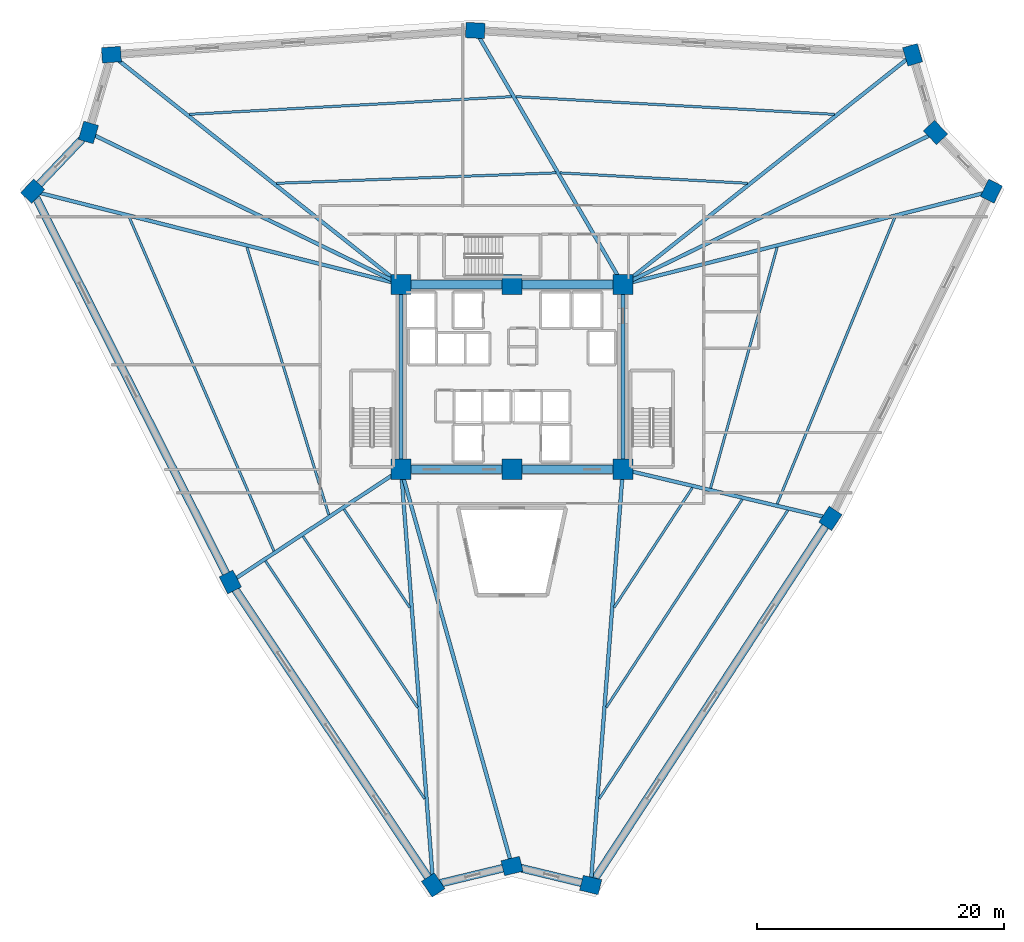
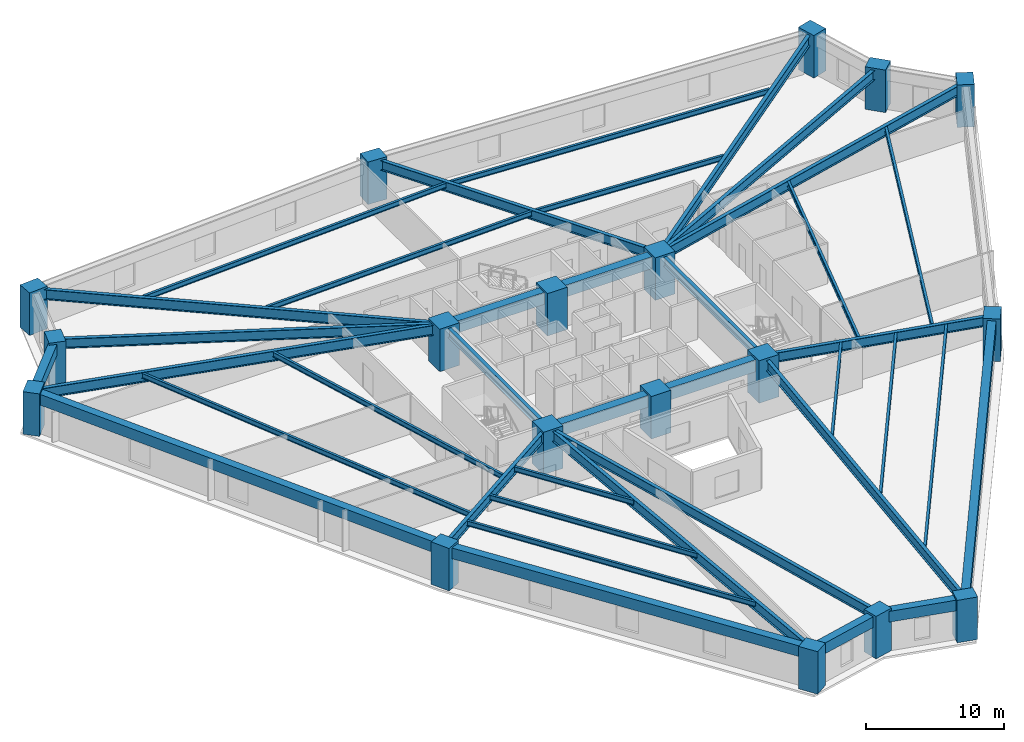
# One storey, part 1 of 8: 38 beams, 18 columns.
"""IFC4 building model written with IfcOpenShell, lengths in metres."""

from ifc_helpers import new_model, si_unit, direction, frame, origin, origin_2d, place, context, subcontext, project, spatial, rectangle, i_section, extrude, source, transform, mapped, material, material_profile, profile_set, type_object, element, save


model = new_model("IFC4")

# Units and contexts
model_context = context("Model", 3, precision=1e-05, world=origin(), true_north=direction((0.0, 1.0)))
body_context = subcontext(model_context, "Body", "Model", "MODEL_VIEW")
ifc_project = project(units=[si_unit("LENGTHUNIT", "METRE"), si_unit("AREAUNIT", "SQUARE_METRE"), si_unit("VOLUMEUNIT", "CUBIC_METRE"), si_unit("PLANEANGLEUNIT", "RADIAN"), si_unit("MASSUNIT", "GRAM", prefix="KILO")], contexts=[model_context])

# Site, building, storey
site_placement = place(None, origin())
site = spatial("IfcSite", under=ifc_project, at=site_placement, CompositionType="ELEMENT")
building_placement = place(site_placement, origin())
building = spatial("IfcBuilding", under=site, at=building_placement, Name="Liaohun Quay Tower", CompositionType="ELEMENT")
storey_placement = place(building_placement, frame((0.0, 0.0, 39.75)))
storey = spatial("IfcBuildingStorey", under=building, at=storey_placement, Name="L10", CompositionType="ELEMENT", Elevation=39.75)

# Columns
ifc_material_1 = material(Name="Concrete C60", Category="concrete")
ifc_material_profile_1 = material_profile(ifc_material_1, rectangle(XDim=1.64990234375, YDim=1.64990234375, at=origin_2d()), Name="RC1650x1650")
ifc_profile_set_1 = profile_set([ifc_material_profile_1], Name="Concrete C60")
column_type_1 = type_object("IfcColumnType", Name="COL-CC-Z1", PredefinedType="COLUMN", material=ifc_profile_set_1)
shared_shape_1 = source(origin(), body_context, "Body", "SweptSolid", [
    extrude(rectangle(XDim=1.64990234375, YDim=1.64990234375, at=origin_2d()), origin(), (0.0, 0.0, 1.0), 3.75),
])
for number, where, z_axis, x_axis, name in (
    (1, (51.0, 46.5, 0.0), (0.0, 0.0, 1.0), (1.0, 0.0, 0.0), "L10 Core Column CC1"),
    (2, (60.0, 46.5, 0.0), (0.0, 0.0, 1.0), (1.0, 0.0, 0.0), "L10 Core Column CC2"),
    (3, (69.0, 46.5, 0.0), (0.0, 0.0, 1.0), (1.0, 0.0, 0.0), "L10 Core Column CC3"),
    (4, (69.0, 61.5, 0.0), (0.0, 0.0, 1.0), (1.0, 0.0, 0.0), "L10 Core Column CC4"),
    (5, (60.0, 61.5, 0.0), (0.0, 0.0, 1.0), (1.0, 0.0, 0.0), "L10 Core Column CC5"),
    (6, (51.0, 61.5, 0.0), (0.0, 0.0, 1.0), (1.0, 0.0, 0.0), "L10 Core Column CC6"),
):
    element("IfcColumn", number, at=place(storey_placement, frame(where, z_axis=z_axis, x_axis=x_axis)), inside=storey, type_object=column_type_1, Name=name, PredefinedType="COLUMN", context=body_context, shape_type="MappedRepresentation", body=[
        mapped(shared_shape_1, transform((0.0, 0.0, 0.0), x_axis=(1.0, 0.0, 0.0), y_axis=(0.0, 1.0, 0.0), z_axis=(0.0, 0.0, 1.0), scale=1.0)),
    ])
ifc_material_profile_2 = material_profile(ifc_material_1, rectangle(XDim=1.550048828125, YDim=1.25, at=origin_2d()), Name="RC1550x1250")
ifc_profile_set_2 = profile_set([ifc_material_profile_2], Name="Concrete C60")
column_type_2 = type_object("IfcColumnType", Name="COL-PIER-Z1", PredefinedType="COLUMN", material=ifc_profile_set_2)
shared_shape_2 = source(origin(), body_context, "Body", "SweptSolid", [
    extrude(rectangle(XDim=1.550048828125, YDim=1.25, at=origin_2d()), origin(), (0.0, 0.0, 1.0), 3.75),
])
for number, where, z_axis, x_axis, name in (
    (7, (53.60693359375, 12.780029296875, 0.0), (0.0, 0.0, 1.0), (-0.556440641177, 0.830887364717, 0.0), "L10 Perimeter Pier PC01"),
    (8, (37.14404296875, 37.364990234375, 0.0), (0.0, 0.0, 1.0), (-0.451189084442, 0.892428378124, 0.0), "L10 Perimeter Pier PC02"),
    (9, (21.111083984375, 69.077880859375, 0.0), (0.0, 0.0, 1.0), (0.68936671806, 0.724412539946, 0.0), "L10 Perimeter Pier PC03"),
    (10, (25.639892578125, 73.837890625, 0.0), (0.0, 0.0, 1.0), (0.282676303383, 0.959215360337, 0.0), "L10 Perimeter Pier PC04"),
    (11, (27.5, 80.14599609375, 0.0), (0.0, 0.0, 1.0), (0.997789886117, 0.066448048599, 0.0), "L10 Perimeter Pier PC05"),
    (12, (57.02197265625, 82.111083984375, 0.0), (0.0, 0.0, 1.0), (-0.998460188734, 0.055472980025, 0.0), "L10 Perimeter Pier PC06"),
    (13, (92.501953125, 80.139892578125, 0.0), (0.0, 0.0, 1.0), (-0.282676303383, 0.959215360337, 0.0), "L10 Perimeter Pier PC07"),
    (14, (94.360107421875, 73.837890625, 0.0), (0.0, 0.0, 1.0), (-0.68936671806, 0.724412539946, 0.0), "L10 Perimeter Pier PC08"),
    (15, (98.89404296875, 69.072998046875, 0.0), (0.0, 0.0, 1.0), (0.44134924494, 0.897335413316, 0.0), "L10 Perimeter Pier PC09"),
    (16, (85.833984375, 42.52392578125, 0.0), (0.0, 0.0, 1.0), (0.547271104292, 0.836955398099, 0.0), "L10 Perimeter Pier PC10"),
    (17, (66.386962890625, 12.781982421875, 0.0), (0.0, 0.0, 1.0), (-0.972043021443, 0.234802820391, 0.0), "L10 Perimeter Pier PC11"),
    (18, (60.0, 14.323974609375, 0.0), (0.0, 0.0, 1.0), (0.972043021443, 0.234802820391, 0.0), "L10 Perimeter Pier PC12"),
):
    element("IfcColumn", number, at=place(storey_placement, frame(where, z_axis=z_axis, x_axis=x_axis)), inside=storey, type_object=column_type_2, Name=name, PredefinedType="COLUMN", context=body_context, shape_type="MappedRepresentation", body=[
        mapped(shared_shape_2, transform((0.0, 0.0, 0.0), x_axis=(1.0, 0.0, 0.0), y_axis=(0.0, 1.0, 0.0), z_axis=(0.0, 0.0, 1.0), scale=1.0)),
    ])

# Beams
ifc_material_profile_3 = material_profile(ifc_material_1, rectangle(XDim=0.699951171875, YDim=1.050048828125, at=origin_2d()), Name="RC700x1050")
ifc_profile_set_3 = profile_set([ifc_material_profile_3], Name="Concrete C60")
beam_type_1 = type_object("IfcBeamType", Name="BM-CPL-1", PredefinedType="LINTEL", material=ifc_profile_set_3)
shared_shape_3 = source(origin(), body_context, "Body", "SweptSolid", [
    extrude(rectangle(XDim=0.699951171875, YDim=1.050048828125, at=origin_2d()), origin(), (0.0, 0.0, 1.0), 9.0),
])
for number, where, z_axis, x_axis, name in (
    (19, (51.0, 46.5, 3.044921875), (1.0, 0.0, 0.0), (0.0, 1.0, 0.0), "L10 Core Coupling/Ring Beam CC1-CC2"),
    (20, (60.0, 46.5, 3.044921875), (1.0, 0.0, 0.0), (0.0, 1.0, 0.0), "L10 Core Coupling/Ring Beam CC2-CC3"),
    (21, (69.0, 61.5, 3.044921875), (-1.0, 0.0, 0.0), (0.0, -1.0, 0.0), "L10 Core Coupling/Ring Beam CC4-CC5"),
    (22, (60.0, 61.5, 3.044921875), (-1.0, 0.0, 0.0), (0.0, -1.0, 0.0), "L10 Core Coupling/Ring Beam CC5-CC6"),
):
    element("IfcBeam", number, at=place(storey_placement, frame(where, z_axis=z_axis, x_axis=x_axis)), inside=storey, type_object=beam_type_1, Name=name, PredefinedType="LINTEL", context=body_context, shape_type="MappedRepresentation", body=[
        mapped(shared_shape_3, transform((0.0, 0.0, 0.0), x_axis=(1.0, 0.0, 0.0), y_axis=(0.0, 1.0, 0.0), z_axis=(0.0, 0.0, 1.0), scale=1.0)),
    ])
ifc_material_2 = material(Name="Steel Q355D", Category="steel")
ifc_material_profile_4 = material_profile(ifc_material_2, i_section(OverallWidth=0.300048828125, OverallDepth=0.800048828125, WebThickness=0.013916015625, FlangeThickness=0.02587890625, at=origin_2d()), Name="HN800x300x14x26")
ifc_profile_set_4 = profile_set([ifc_material_profile_4], Name="Steel Q355D")
beam_type_2 = type_object("IfcBeamType", Name="BM-RAD-M1", PredefinedType="BEAM", material=ifc_profile_set_4)
shared_shape_4 = source(origin(), body_context, "Body", "SweptSolid", [
    extrude(i_section(OverallWidth=0.300048828125, OverallDepth=0.800048828125, WebThickness=0.013916015625, FlangeThickness=0.02587890625, at=origin_2d()), origin(), (0.0, 0.0, 1.0), 15.0),
])
for number, where, z_axis, x_axis, name in (
    (23, (69.0, 46.5, 3.169921875), (0.0, 1.0, 0.0), (-1.0, 0.0, 0.0), "L10 Core Coupling/Ring Beam CC3-CC4"),
    (24, (51.0, 61.5, 3.169921875), (0.0, -1.0, 0.0), (1.0, 0.0, 0.0), "L10 Core Coupling/Ring Beam CC6-CC1"),
):
    element("IfcBeam", number, at=place(storey_placement, frame(where, z_axis=z_axis, x_axis=x_axis)), inside=storey, type_object=beam_type_2, Name=name, PredefinedType="BEAM", context=body_context, shape_type="MappedRepresentation", body=[
        mapped(shared_shape_4, transform((0.0, 0.0, 0.0), x_axis=(1.0, 0.0, 0.0), y_axis=(0.0, 1.0, 0.0), z_axis=(0.0, 0.0, 1.0), scale=1.0)),
    ])
ifc_material_3 = material(Name="Steel Q420D", Category="steel")
ifc_material_profile_5 = material_profile(ifc_material_3, i_section(OverallWidth=0.300048828125, OverallDepth=0.89990234375, WebThickness=0.01611328125, FlangeThickness=0.028076171875, at=origin_2d()), Name="HN900x300x16x28")
ifc_profile_set_5 = profile_set([ifc_material_profile_5], Name="Steel Q420D")
beam_type_3 = type_object("IfcBeamType", Name="BM-RAD-H1", PredefinedType="BEAM", material=ifc_profile_set_5)
shared_shape_5 = source(origin(), body_context, "Body", "SweptSolid", [
    extrude(i_section(OverallWidth=0.300048828125, OverallDepth=0.89990234375, WebThickness=0.01611328125, FlangeThickness=0.028076171875, at=origin_2d()), origin(), (0.0, 0.0, 1.0), 33.820556640625),
])
beam_1_placement = place(storey_placement, frame((51.0, 46.5, 3.1201171875), z_axis=(0.07708124974, -0.997024814605, 0.0), x_axis=(0.997024814605, 0.07708124974, 0.0)))
element("IfcBeam", 25, at=beam_1_placement, inside=storey, type_object=beam_type_3, Name="L10 Radial Primary Girder CC1-PC01", PredefinedType="BEAM", context=body_context, shape_type="MappedRepresentation", body=[
    mapped(shared_shape_5, transform((0.0, 0.0, 0.0), x_axis=(1.0, 0.0, 0.0), y_axis=(0.0, 1.0, 0.0), z_axis=(0.0, 0.0, 1.0), scale=1.0)),
])
ifc_material_profile_6 = material_profile(ifc_material_2, i_section(OverallWidth=0.300048828125, OverallDepth=0.85009765625, WebThickness=0.01611328125, FlangeThickness=0.028076171875, at=origin_2d()), Name="HN850x300x16x28")
ifc_profile_set_6 = profile_set([ifc_material_profile_6], Name="Steel Q355D")
beam_type_4 = type_object("IfcBeamType", Name="BM-RAD-H2", PredefinedType="BEAM", material=ifc_profile_set_6)
shared_shape_6 = source(origin(), body_context, "Body", "SweptSolid", [
    extrude(i_section(OverallWidth=0.300048828125, OverallDepth=0.85009765625, WebThickness=0.01611328125, FlangeThickness=0.028076171875, at=origin_2d()), origin(), (0.0, 0.0, 1.0), 16.59619140625),
])
beam_2_placement = place(storey_placement, frame((51.0, 46.5, 3.14501953125), z_axis=(-0.83488415152, -0.550425702108, 0.0), x_axis=(0.550425702108, -0.83488415152, 0.0)))
element("IfcBeam", 26, at=beam_2_placement, inside=storey, type_object=beam_type_4, Name="L10 Radial Primary Girder CC1-PC02", PredefinedType="BEAM", context=body_context, shape_type="MappedRepresentation", body=[
    mapped(shared_shape_6, transform((0.0, 0.0, 0.0), x_axis=(1.0, 0.0, 0.0), y_axis=(0.0, 1.0, 0.0), z_axis=(0.0, 0.0, 1.0), scale=1.0)),
])
shared_shape_7 = source(origin(), body_context, "Body", "SweptSolid", [
    extrude(i_section(OverallWidth=0.300048828125, OverallDepth=0.89990234375, WebThickness=0.01611328125, FlangeThickness=0.028076171875, at=origin_2d()), origin(), (0.0, 0.0, 1.0), 30.83447265625),
])
beam_3_placement = place(storey_placement, frame((51.0, 61.5, 3.1201171875), z_axis=(-0.969330926687, 0.245759139338, 0.0), x_axis=(-0.245759139338, -0.969330926687, 0.0)))
element("IfcBeam", 27, at=beam_3_placement, inside=storey, type_object=beam_type_3, Name="L10 Radial Primary Girder CC6-PC03", PredefinedType="BEAM", context=body_context, shape_type="MappedRepresentation", body=[
    mapped(shared_shape_7, transform((0.0, 0.0, 0.0), x_axis=(1.0, 0.0, 0.0), y_axis=(0.0, 1.0, 0.0), z_axis=(0.0, 0.0, 1.0), scale=1.0)),
])
shared_shape_8 = source(origin(), body_context, "Body", "SweptSolid", [
    extrude(i_section(OverallWidth=0.300048828125, OverallDepth=0.85009765625, WebThickness=0.01611328125, FlangeThickness=0.028076171875, at=origin_2d()), origin(), (0.0, 0.0, 1.0), 28.2021484375),
])
for number, where, z_axis, x_axis, name in (
    (28, (51.0, 61.5, 3.14501953125), (-0.899227541375, 0.437481232548, 0.0), (-0.437481232548, -0.899227541375, 0.0), "L10 Radial Primary Girder CC6-PC04"),
    (29, (69.0, 61.5, 3.14501953125), (0.899227541375, 0.437481232548, 0.0), (-0.437481232548, 0.899227541375, 0.0), "L10 Radial Primary Girder CC4-PC08"),
):
    element("IfcBeam", number, at=place(storey_placement, frame(where, z_axis=z_axis, x_axis=x_axis)), inside=storey, type_object=beam_type_4, Name=name, PredefinedType="BEAM", context=body_context, shape_type="MappedRepresentation", body=[
        mapped(shared_shape_8, transform((0.0, 0.0, 0.0), x_axis=(1.0, 0.0, 0.0), y_axis=(0.0, 1.0, 0.0), z_axis=(0.0, 0.0, 1.0), scale=1.0)),
    ])
shared_shape_9 = source(origin(), body_context, "Body", "SweptSolid", [
    extrude(i_section(OverallWidth=0.300048828125, OverallDepth=0.89990234375, WebThickness=0.01611328125, FlangeThickness=0.028076171875, at=origin_2d()), origin(), (0.0, 0.0, 1.0), 29.998779296875),
])
beam_4_placement = place(storey_placement, frame((51.0, 61.5, 3.1201171875), z_axis=(-0.783366770609, 0.621559733819, 0.0), x_axis=(-0.621559733819, -0.783366770609, 0.0)))
element("IfcBeam", 30, at=beam_4_placement, inside=storey, type_object=beam_type_3, Name="L10 Radial Primary Girder CC6-PC05", PredefinedType="BEAM", context=body_context, shape_type="MappedRepresentation", body=[
    mapped(shared_shape_9, transform((0.0, 0.0, 0.0), x_axis=(1.0, 0.0, 0.0), y_axis=(0.0, 1.0, 0.0), z_axis=(0.0, 0.0, 1.0), scale=1.0)),
])
shared_shape_10 = source(origin(), body_context, "Body", "SweptSolid", [
    extrude(i_section(OverallWidth=0.300048828125, OverallDepth=0.85009765625, WebThickness=0.01611328125, FlangeThickness=0.028076171875, at=origin_2d()), origin(), (0.0, 0.0, 1.0), 23.8388671875),
])
beam_5_placement = place(storey_placement, frame((69.0, 61.5, 3.14501953125), z_axis=(-0.502458645143, 0.864601243303, 0.0), x_axis=(-0.864601243303, -0.502458645143, 0.0)))
element("IfcBeam", 31, at=beam_5_placement, inside=storey, type_object=beam_type_4, Name="L10 Radial Primary Girder CC4-PC06", PredefinedType="BEAM", context=body_context, shape_type="MappedRepresentation", body=[
    mapped(shared_shape_10, transform((0.0, 0.0, 0.0), x_axis=(1.0, 0.0, 0.0), y_axis=(0.0, 1.0, 0.0), z_axis=(0.0, 0.0, 1.0), scale=1.0)),
])
shared_shape_11 = source(origin(), body_context, "Body", "SweptSolid", [
    extrude(i_section(OverallWidth=0.300048828125, OverallDepth=0.89990234375, WebThickness=0.01611328125, FlangeThickness=0.028076171875, at=origin_2d()), origin(), (0.0, 0.0, 1.0), 29.996337890625),
])
beam_6_placement = place(storey_placement, frame((69.0, 61.5, 3.1201171875), z_axis=(0.783490983692, 0.621403152932, 0.0), x_axis=(-0.621403152932, 0.783490983692, 0.0)))
element("IfcBeam", 32, at=beam_6_placement, inside=storey, type_object=beam_type_3, Name="L10 Radial Primary Girder CC4-PC07", PredefinedType="BEAM", context=body_context, shape_type="MappedRepresentation", body=[
    mapped(shared_shape_11, transform((0.0, 0.0, 0.0), x_axis=(1.0, 0.0, 0.0), y_axis=(0.0, 1.0, 0.0), z_axis=(0.0, 0.0, 1.0), scale=1.0)),
])
shared_shape_12 = source(origin(), body_context, "Body", "SweptSolid", [
    extrude(i_section(OverallWidth=0.300048828125, OverallDepth=0.89990234375, WebThickness=0.01611328125, FlangeThickness=0.028076171875, at=origin_2d()), origin(), (0.0, 0.0, 1.0), 30.83837890625),
])
beam_7_placement = place(storey_placement, frame((69.0, 61.5, 3.1201171875), z_axis=(0.969378668663, 0.245570757095, 0.0), x_axis=(-0.245570757095, 0.969378668663, 0.0)))
element("IfcBeam", 33, at=beam_7_placement, inside=storey, type_object=beam_type_3, Name="L10 Radial Primary Girder CC4-PC09", PredefinedType="BEAM", context=body_context, shape_type="MappedRepresentation", body=[
    mapped(shared_shape_12, transform((0.0, 0.0, 0.0), x_axis=(1.0, 0.0, 0.0), y_axis=(0.0, 1.0, 0.0), z_axis=(0.0, 0.0, 1.0), scale=1.0)),
])
shared_shape_13 = source(origin(), body_context, "Body", "SweptSolid", [
    extrude(i_section(OverallWidth=0.300048828125, OverallDepth=0.85009765625, WebThickness=0.01611328125, FlangeThickness=0.028076171875, at=origin_2d()), origin(), (0.0, 0.0, 1.0), 17.297119140625),
])
beam_8_placement = place(storey_placement, frame((69.0, 46.5, 3.14501953125), z_axis=(0.973221711386, -0.229868441693, 0.0), x_axis=(0.229868441693, 0.973221711386, 0.0)))
element("IfcBeam", 34, at=beam_8_placement, inside=storey, type_object=beam_type_4, Name="L10 Radial Primary Girder CC3-PC10", PredefinedType="BEAM", context=body_context, shape_type="MappedRepresentation", body=[
    mapped(shared_shape_13, transform((0.0, 0.0, 0.0), x_axis=(1.0, 0.0, 0.0), y_axis=(0.0, 1.0, 0.0), z_axis=(0.0, 0.0, 1.0), scale=1.0)),
])
shared_shape_14 = source(origin(), body_context, "Body", "SweptSolid", [
    extrude(i_section(OverallWidth=0.300048828125, OverallDepth=0.89990234375, WebThickness=0.01611328125, FlangeThickness=0.028076171875, at=origin_2d()), origin(), (0.0, 0.0, 1.0), 33.819091796875),
])
beam_9_placement = place(storey_placement, frame((69.0, 46.5, 3.1201171875), z_axis=(-0.077265089802, -0.997010584647, 0.0), x_axis=(0.997010584647, -0.077265089802, 0.0)))
element("IfcBeam", 35, at=beam_9_placement, inside=storey, type_object=beam_type_3, Name="L10 Radial Primary Girder CC3-PC11", PredefinedType="BEAM", context=body_context, shape_type="MappedRepresentation", body=[
    mapped(shared_shape_14, transform((0.0, 0.0, 0.0), x_axis=(1.0, 0.0, 0.0), y_axis=(0.0, 1.0, 0.0), z_axis=(0.0, 0.0, 1.0), scale=1.0)),
])
shared_shape_15 = source(origin(), body_context, "Body", "SweptSolid", [
    extrude(i_section(OverallWidth=0.300048828125, OverallDepth=0.85009765625, WebThickness=0.01611328125, FlangeThickness=0.028076171875, at=origin_2d()), origin(), (0.0, 0.0, 1.0), 33.4111328125),
])
beam_10_placement = place(storey_placement, frame((51.0, 46.5, 3.14501953125), z_axis=(0.269372158618, -0.963036157245, 0.0), x_axis=(0.963036157245, 0.269372158618, 0.0)))
element("IfcBeam", 36, at=beam_10_placement, inside=storey, type_object=beam_type_4, Name="L10 Radial Primary Girder CC1-PC12", PredefinedType="BEAM", context=body_context, shape_type="MappedRepresentation", body=[
    mapped(shared_shape_15, transform((0.0, 0.0, 0.0), x_axis=(1.0, 0.0, 0.0), y_axis=(0.0, 1.0, 0.0), z_axis=(0.0, 0.0, 1.0), scale=1.0)),
])
ifc_material_profile_7 = material_profile(ifc_material_2, i_section(OverallWidth=0.199951171875, OverallDepth=0.449951171875, WebThickness=0.009033203125, FlangeThickness=0.013916015625, at=origin_2d()), Name="HN450x200x9x14")
ifc_profile_set_7 = profile_set([ifc_material_profile_7], Name="Steel Q355D")
beam_type_5 = type_object("IfcBeamType", Name="BM-SEC-J1", PredefinedType="JOIST", material=ifc_profile_set_7)
shared_shape_16 = source(origin(), body_context, "Body", "SweptSolid", [
    extrude(i_section(OverallWidth=0.199951171875, OverallDepth=0.449951171875, WebThickness=0.009033203125, FlangeThickness=0.013916015625, at=origin_2d()), origin(), (0.0, 0.0, 1.0), 9.60400390625),
])
beam_11_placement = place(storey_placement, frame((51.716064453125, 35.2890625, 3.344970703125), z_axis=(-0.556429546569, 0.830894794607, 0.0), x_axis=(-0.830894794607, -0.556429546569, 0.0)))
element("IfcBeam", 37, at=beam_11_placement, inside=storey, type_object=beam_type_5, Name="L10 Wing Secondary Floor Joist SJ-01", PredefinedType="JOIST", context=body_context, shape_type="MappedRepresentation", body=[
    mapped(shared_shape_16, transform((0.0, 0.0, 0.0), x_axis=(1.0, 0.0, 0.0), y_axis=(0.0, 1.0, 0.0), z_axis=(0.0, 0.0, 1.0), scale=1.0)),
])
shared_shape_17 = source(origin(), body_context, "Body", "SweptSolid", [
    extrude(i_section(OverallWidth=0.199951171875, OverallDepth=0.449951171875, WebThickness=0.009033203125, FlangeThickness=0.013916015625, at=origin_2d()), origin(), (0.0, 0.0, 1.0), 16.70556640625),
])
beam_12_placement = place(storey_placement, frame((52.342041015625, 27.196044921875, 3.344970703125), z_axis=(-0.556398803966, 0.830915381338, 0.0), x_axis=(-0.830915381338, -0.556398803966, 0.0)))
element("IfcBeam", 38, at=beam_12_placement, inside=storey, type_object=beam_type_5, Name="L10 Wing Secondary Floor Joist SJ-02", PredefinedType="JOIST", context=body_context, shape_type="MappedRepresentation", body=[
    mapped(shared_shape_17, transform((0.0, 0.0, 0.0), x_axis=(1.0, 0.0, 0.0), y_axis=(0.0, 1.0, 0.0), z_axis=(0.0, 0.0, 1.0), scale=1.0)),
])
shared_shape_18 = source(origin(), body_context, "Body", "SweptSolid", [
    extrude(i_section(OverallWidth=0.199951171875, OverallDepth=0.449951171875, WebThickness=0.009033203125, FlangeThickness=0.013916015625, at=origin_2d()), origin(), (0.0, 0.0, 1.0), 23.21435546875),
])
beam_13_placement = place(storey_placement, frame((52.916015625, 19.778076171875, 3.344970703125), z_axis=(-0.556422141739, 0.83089975339, 0.0), x_axis=(-0.83089975339, -0.556422141739, 0.0)))
element("IfcBeam", 39, at=beam_13_placement, inside=storey, type_object=beam_type_5, Name="L10 Wing Secondary Floor Joist SJ-03", PredefinedType="JOIST", context=body_context, shape_type="MappedRepresentation", body=[
    mapped(shared_shape_18, transform((0.0, 0.0, 0.0), x_axis=(1.0, 0.0, 0.0), y_axis=(0.0, 1.0, 0.0), z_axis=(0.0, 0.0, 1.0), scale=1.0)),
])
shared_shape_19 = source(origin(), body_context, "Body", "SweptSolid", [
    extrude(i_section(OverallWidth=0.199951171875, OverallDepth=0.449951171875, WebThickness=0.009033203125, FlangeThickness=0.013916015625, at=origin_2d()), origin(), (0.0, 0.0, 1.0), 22.694091796875),
])
beam_14_placement = place(storey_placement, frame((45.135009765625, 42.81298828125, 3.344970703125), z_axis=(-0.292453302419, 0.956279805237, 0.0), x_axis=(-0.956279805237, -0.292453302419, 0.0)))
element("IfcBeam", 40, at=beam_14_placement, inside=storey, type_object=beam_type_5, Name="L10 Wing Secondary Floor Joist SJ-04", PredefinedType="JOIST", context=body_context, shape_type="MappedRepresentation", body=[
    mapped(shared_shape_19, transform((0.0, 0.0, 0.0), x_axis=(1.0, 0.0, 0.0), y_axis=(0.0, 1.0, 0.0), z_axis=(0.0, 0.0, 1.0), scale=1.0)),
])
shared_shape_20 = source(origin(), body_context, "Body", "SweptSolid", [
    extrude(i_section(OverallWidth=0.199951171875, OverallDepth=0.449951171875, WebThickness=0.009033203125, FlangeThickness=0.013916015625, at=origin_2d()), origin(), (0.0, 0.0, 1.0), 29.48681640625),
])
beam_15_placement = place(storey_placement, frame((40.68603515625, 39.8798828125, 3.344970703125), z_axis=(-0.397737088561, 0.917499432361, 0.0), x_axis=(-0.917499432361, -0.397737088561, 0.0)))
element("IfcBeam", 41, at=beam_15_placement, inside=storey, type_object=beam_type_5, Name="L10 Wing Secondary Floor Joist SJ-05", PredefinedType="JOIST", context=body_context, shape_type="MappedRepresentation", body=[
    mapped(shared_shape_20, transform((0.0, 0.0, 0.0), x_axis=(1.0, 0.0, 0.0), y_axis=(0.0, 1.0, 0.0), z_axis=(0.0, 0.0, 1.0), scale=1.0)),
])
shared_shape_21 = source(origin(), body_context, "Body", "SweptSolid", [
    extrude(i_section(OverallWidth=0.199951171875, OverallDepth=0.449951171875, WebThickness=0.009033203125, FlangeThickness=0.013916015625, at=origin_2d()), origin(), (0.0, 0.0, 1.0), 22.68603515625),
])
beam_16_placement = place(storey_placement, frame((40.889892578125, 69.712890625, 3.344970703125), z_axis=(0.99929928212, 0.037429196541, 0.0), x_axis=(-0.037429196541, 0.99929928212, 0.0)))
element("IfcBeam", 42, at=beam_16_placement, inside=storey, type_object=beam_type_5, Name="L10 Wing Secondary Floor Joist SJ-06", PredefinedType="JOIST", context=body_context, shape_type="MappedRepresentation", body=[
    mapped(shared_shape_21, transform((0.0, 0.0, 0.0), x_axis=(1.0, 0.0, 0.0), y_axis=(0.0, 1.0, 0.0), z_axis=(0.0, 0.0, 1.0), scale=1.0)),
])
shared_shape_22 = source(origin(), body_context, "Body", "SweptSolid", [
    extrude(i_section(OverallWidth=0.199951171875, OverallDepth=0.449951171875, WebThickness=0.009033203125, FlangeThickness=0.013916015625, at=origin_2d()), origin(), (0.0, 0.0, 1.0), 26.17138671875),
])
beam_17_placement = place(storey_placement, frame((33.8359375, 75.31005859375, 3.344970703125), z_axis=(0.998500134085, 0.054749266954, 0.0), x_axis=(-0.054749266954, 0.998500134085, 0.0)))
element("IfcBeam", 43, at=beam_17_placement, inside=storey, type_object=beam_type_5, Name="L10 Wing Secondary Floor Joist SJ-07", PredefinedType="JOIST", context=body_context, shape_type="MappedRepresentation", body=[
    mapped(shared_shape_22, transform((0.0, 0.0, 0.0), x_axis=(1.0, 0.0, 0.0), y_axis=(0.0, 1.0, 0.0), z_axis=(0.0, 0.0, 1.0), scale=1.0)),
])
shared_shape_23 = source(origin(), body_context, "Body", "SweptSolid", [
    extrude(i_section(OverallWidth=0.199951171875, OverallDepth=0.449951171875, WebThickness=0.009033203125, FlangeThickness=0.013916015625, at=origin_2d()), origin(), (0.0, 0.0, 1.0), 15.2294921875),
])
beam_18_placement = place(storey_placement, frame((63.908935546875, 70.55908203125, 3.344970703125), z_axis=(0.998459662572, -0.05548244962, 0.0), x_axis=(0.05548244962, 0.998459662572, 0.0)))
element("IfcBeam", 44, at=beam_18_placement, inside=storey, type_object=beam_type_5, Name="L10 Wing Secondary Floor Joist SJ-08", PredefinedType="JOIST", context=body_context, shape_type="MappedRepresentation", body=[
    mapped(shared_shape_23, transform((0.0, 0.0, 0.0), x_axis=(1.0, 0.0, 0.0), y_axis=(0.0, 1.0, 0.0), z_axis=(0.0, 0.0, 1.0), scale=1.0)),
])
shared_shape_24 = source(origin(), body_context, "Body", "SweptSolid", [
    extrude(i_section(OverallWidth=0.199951171875, OverallDepth=0.449951171875, WebThickness=0.009033203125, FlangeThickness=0.013916015625, at=origin_2d()), origin(), (0.0, 0.0, 1.0), 25.889892578125),
])
beam_19_placement = place(storey_placement, frame((60.31591796875, 76.741943359375, 3.344970703125), z_axis=(0.998460527292, -0.055466885982, 0.0), x_axis=(0.055466885982, 0.998460527292, 0.0)))
element("IfcBeam", 45, at=beam_19_placement, inside=storey, type_object=beam_type_5, Name="L10 Wing Secondary Floor Joist SJ-09", PredefinedType="JOIST", context=body_context, shape_type="MappedRepresentation", body=[
    mapped(shared_shape_24, transform((0.0, 0.0, 0.0), x_axis=(1.0, 0.0, 0.0), y_axis=(0.0, 1.0, 0.0), z_axis=(0.0, 0.0, 1.0), scale=1.0)),
])
shared_shape_25 = source(origin(), body_context, "Body", "SweptSolid", [
    extrude(i_section(OverallWidth=0.199951171875, OverallDepth=0.449951171875, WebThickness=0.009033203125, FlangeThickness=0.013916015625, at=origin_2d()), origin(), (0.0, 0.0, 1.0), 20.271240234375),
])
beam_20_placement = place(storey_placement, frame((81.510009765625, 64.513916015625, 3.344970703125), z_axis=(-0.266382050556, -0.963867523647, 0.0), x_axis=(0.963867523647, -0.266382050556, 0.0)))
element("IfcBeam", 46, at=beam_20_placement, inside=storey, type_object=beam_type_5, Name="L10 Wing Secondary Floor Joist SJ-10", PredefinedType="JOIST", context=body_context, shape_type="MappedRepresentation", body=[
    mapped(shared_shape_25, transform((0.0, 0.0, 0.0), x_axis=(1.0, 0.0, 0.0), y_axis=(0.0, 1.0, 0.0), z_axis=(0.0, 0.0, 1.0), scale=1.0)),
])
shared_shape_26 = source(origin(), body_context, "Body", "SweptSolid", [
    extrude(i_section(OverallWidth=0.199951171875, OverallDepth=0.449951171875, WebThickness=0.009033203125, FlangeThickness=0.013916015625, at=origin_2d()), origin(), (0.0, 0.0, 1.0), 25.11376953125),
])
beam_21_placement = place(storey_placement, frame((91.051025390625, 66.930908203125, 3.344970703125), z_axis=(-0.379715940496, -0.925103131836, 0.0), x_axis=(0.925103131836, -0.379715940496, 0.0)))
element("IfcBeam", 47, at=beam_21_placement, inside=storey, type_object=beam_type_5, Name="L10 Wing Secondary Floor Joist SJ-11", PredefinedType="JOIST", context=body_context, shape_type="MappedRepresentation", body=[
    mapped(shared_shape_26, transform((0.0, 0.0, 0.0), x_axis=(1.0, 0.0, 0.0), y_axis=(0.0, 1.0, 0.0), z_axis=(0.0, 0.0, 1.0), scale=1.0)),
])
shared_shape_27 = source(origin(), body_context, "Body", "SweptSolid", [
    extrude(i_section(OverallWidth=0.199951171875, OverallDepth=0.449951171875, WebThickness=0.009033203125, FlangeThickness=0.013916015625, at=origin_2d()), origin(), (0.0, 0.0, 1.0), 11.610595703125),
])
beam_22_placement = place(storey_placement, frame((74.635986328125, 45.014892578125, 3.344970703125), z_axis=(-0.547253895262, -0.836966650542, 0.0), x_axis=(0.836966650542, -0.547253895262, 0.0)))
element("IfcBeam", 48, at=beam_22_placement, inside=storey, type_object=beam_type_5, Name="L10 Wing Secondary Floor Joist SJ-12", PredefinedType="JOIST", context=body_context, shape_type="MappedRepresentation", body=[
    mapped(shared_shape_27, transform((0.0, 0.0, 0.0), x_axis=(1.0, 0.0, 0.0), y_axis=(0.0, 1.0, 0.0), z_axis=(0.0, 0.0, 1.0), scale=1.0)),
])
shared_shape_28 = source(origin(), body_context, "Body", "SweptSolid", [
    extrude(i_section(OverallWidth=0.199951171875, OverallDepth=0.449951171875, WebThickness=0.009033203125, FlangeThickness=0.013916015625, at=origin_2d()), origin(), (0.0, 0.0, 1.0), 20.138427734375),
])
beam_23_placement = place(storey_placement, frame((78.676025390625, 44.06005859375, 3.344970703125), z_axis=(-0.547264388094, -0.83695978967, 0.0), x_axis=(0.83695978967, -0.547264388094, 0.0)))
element("IfcBeam", 49, at=beam_23_placement, inside=storey, type_object=beam_type_5, Name="L10 Wing Secondary Floor Joist SJ-13", PredefinedType="JOIST", context=body_context, shape_type="MappedRepresentation", body=[
    mapped(shared_shape_28, transform((0.0, 0.0, 0.0), x_axis=(1.0, 0.0, 0.0), y_axis=(0.0, 1.0, 0.0), z_axis=(0.0, 0.0, 1.0), scale=1.0)),
])
shared_shape_29 = source(origin(), body_context, "Body", "SweptSolid", [
    extrude(i_section(OverallWidth=0.199951171875, OverallDepth=0.449951171875, WebThickness=0.009033203125, FlangeThickness=0.013916015625, at=origin_2d()), origin(), (0.0, 0.0, 1.0), 27.95703125),
])
beam_24_placement = place(storey_placement, frame((82.3798828125, 43.18603515625, 3.344970703125), z_axis=(-0.547262068348, -0.836961306482, 0.0), x_axis=(0.836961306482, -0.547262068348, 0.0)))
element("IfcBeam", 50, at=beam_24_placement, inside=storey, type_object=beam_type_5, Name="L10 Wing Secondary Floor Joist SJ-14", PredefinedType="JOIST", context=body_context, shape_type="MappedRepresentation", body=[
    mapped(shared_shape_29, transform((0.0, 0.0, 0.0), x_axis=(1.0, 0.0, 0.0), y_axis=(0.0, 1.0, 0.0), z_axis=(0.0, 0.0, 1.0), scale=1.0)),
])
ifc_material_4 = material(Name="Precast concrete C55", Category="concrete")
ifc_material_profile_8 = material_profile(ifc_material_4, rectangle(XDim=0.64990234375, YDim=0.949951171875, at=origin_2d()), Name="RC650x950")
ifc_profile_set_8 = profile_set([ifc_material_profile_8], Name="Precast concrete C55")
beam_type_6 = type_object("IfcBeamType", Name="BM-SPD-Z1", PredefinedType="SPANDREL", material=ifc_profile_set_8)
shared_shape_30 = source(origin(), body_context, "Body", "SweptSolid", [
    extrude(rectangle(XDim=0.64990234375, YDim=0.949951171875, at=origin_2d()), origin(), (0.0, 0.0, 1.0), 29.587890625),
])
beam_25_placement = place(storey_placement, frame((53.60693359375, 12.780029296875, 3.094970703125), z_axis=(-0.556405155751, 0.830911128012, 0.0), x_axis=(-0.830911128012, -0.556405155751, 0.0)))
element("IfcBeam", 51, at=beam_25_placement, inside=storey, type_object=beam_type_6, Name="L10 Precast Spandrel Beam PC01-PC02", PredefinedType="SPANDREL", context=body_context, shape_type="MappedRepresentation", body=[
    mapped(shared_shape_30, transform((0.0, 0.0, 0.0), x_axis=(1.0, 0.0, 0.0), y_axis=(0.0, 1.0, 0.0), z_axis=(0.0, 0.0, 1.0), scale=1.0)),
])
shared_shape_31 = source(origin(), body_context, "Body", "SweptSolid", [
    extrude(rectangle(XDim=0.64990234375, YDim=0.949951171875, at=origin_2d()), origin(), (0.0, 0.0, 1.0), 35.535400390625),
])
for number, where, z_axis, x_axis, name in (
    (52, (37.14404296875, 37.364990234375, 3.094970703125), (-0.451182994256, 0.892431457141, 0.0), (-0.892431457141, -0.451182994256, 0.0), "L10 Precast Spandrel Beam PC02-PC03"),
    (53, (85.833984375, 42.52392578125, 3.094970703125), (-0.547256582154, -0.836964893701, 0.0), (0.836964893701, -0.547256582154, 0.0), "L10 Precast Spandrel Beam PC10-PC11"),
):
    element("IfcBeam", number, at=place(storey_placement, frame(where, z_axis=z_axis, x_axis=x_axis)), inside=storey, type_object=beam_type_6, Name=name, PredefinedType="SPANDREL", context=body_context, shape_type="MappedRepresentation", body=[
        mapped(shared_shape_31, transform((0.0, 0.0, 0.0), x_axis=(1.0, 0.0, 0.0), y_axis=(0.0, 1.0, 0.0), z_axis=(0.0, 0.0, 1.0), scale=1.0)),
    ])
shared_shape_32 = source(origin(), body_context, "Body", "SweptSolid", [
    extrude(rectangle(XDim=0.64990234375, YDim=0.949951171875, at=origin_2d()), origin(), (0.0, 0.0, 1.0), 6.5703125),
])
beam_26_placement = place(storey_placement, frame((21.111083984375, 69.077880859375, 3.094970703125), z_axis=(0.689293220121, 0.724482475078, 0.0), x_axis=(-0.724482475078, 0.689293220121, 0.0)))
element("IfcBeam", 54, at=beam_26_placement, inside=storey, type_object=beam_type_6, Name="L10 Precast Spandrel Beam PC03-PC04", PredefinedType="SPANDREL", context=body_context, shape_type="MappedRepresentation", body=[
    mapped(shared_shape_32, transform((0.0, 0.0, 0.0), x_axis=(1.0, 0.0, 0.0), y_axis=(0.0, 1.0, 0.0), z_axis=(0.0, 0.0, 1.0), scale=1.0)),
])
shared_shape_33 = source(origin(), body_context, "Body", "SweptSolid", [
    extrude(rectangle(XDim=0.64990234375, YDim=0.949951171875, at=origin_2d()), origin(), (0.0, 0.0, 1.0), 6.570556640625),
])
beam_27_placement = place(storey_placement, frame((66.386962890625, 12.781982421875, 3.094970703125), z_axis=(-0.972071394357, 0.23468533033, 0.0), x_axis=(-0.23468533033, -0.972071394357, 0.0)))
element("IfcBeam", 55, at=beam_27_placement, inside=storey, type_object=beam_type_6, Name="L10 Precast Spandrel Beam PC11-PC12", PredefinedType="SPANDREL", context=body_context, shape_type="MappedRepresentation", body=[
    mapped(shared_shape_33, transform((0.0, 0.0, 0.0), x_axis=(1.0, 0.0, 0.0), y_axis=(0.0, 1.0, 0.0), z_axis=(0.0, 0.0, 1.0), scale=1.0)),
])
shared_shape_34 = source(origin(), body_context, "Body", "SweptSolid", [
    extrude(rectangle(XDim=0.64990234375, YDim=0.949951171875, at=origin_2d()), origin(), (0.0, 0.0, 1.0), 6.576904296875),
])
beam_28_placement = place(storey_placement, frame((60.0, 14.323974609375, 3.094970703125), z_axis=(-0.972054757289, -0.2347542307, 0.0), x_axis=(0.2347542307, -0.972054757289, 0.0)))
element("IfcBeam", 56, at=beam_28_placement, inside=storey, type_object=beam_type_6, Name="L10 Precast Spandrel Beam PC12-PC01", PredefinedType="SPANDREL", context=body_context, shape_type="MappedRepresentation", body=[
    mapped(shared_shape_34, transform((0.0, 0.0, 0.0), x_axis=(1.0, 0.0, 0.0), y_axis=(0.0, 1.0, 0.0), z_axis=(0.0, 0.0, 1.0), scale=1.0)),
])

save(model, "model.ifc")
